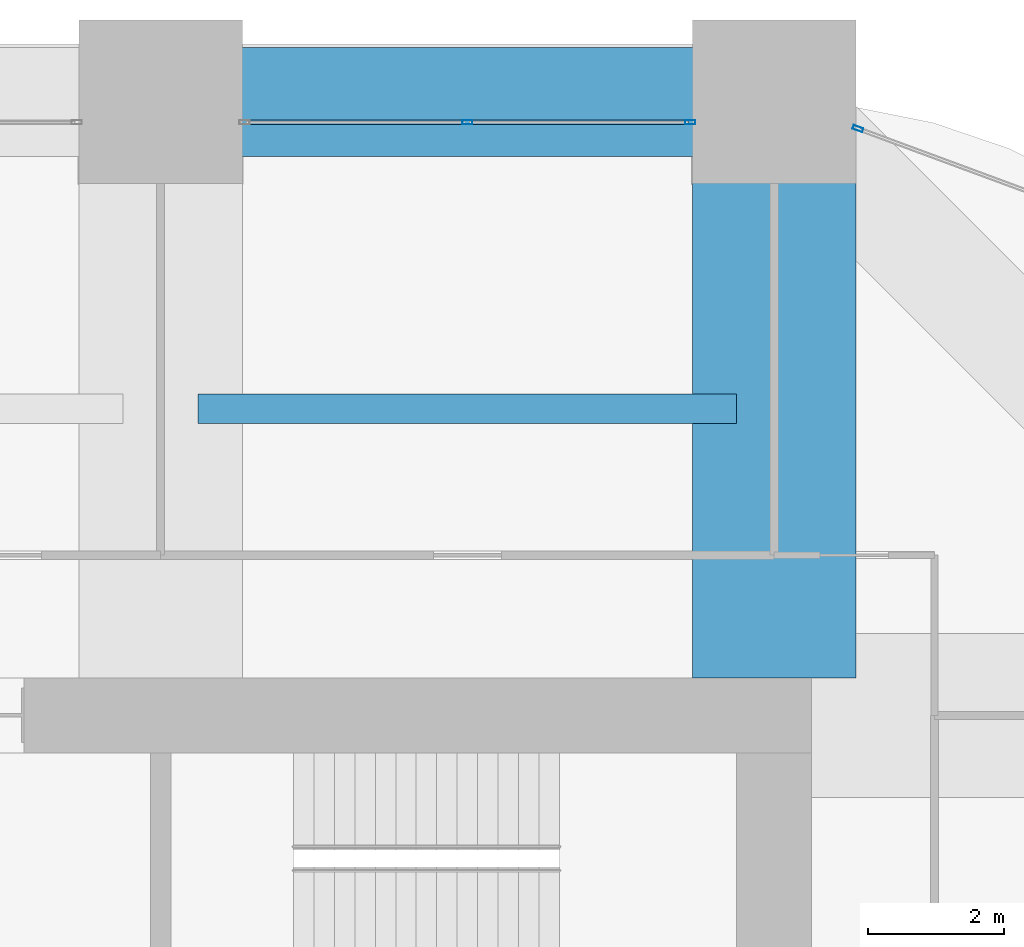
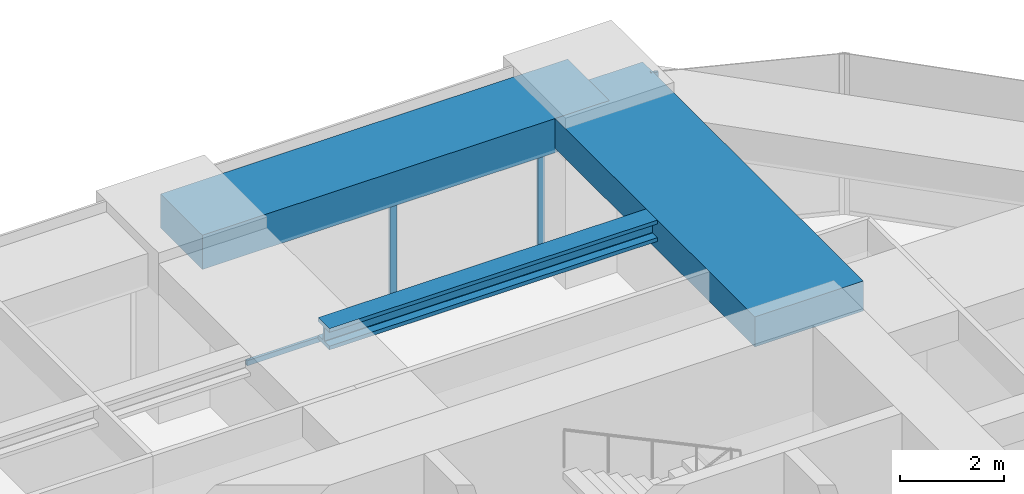
# One storey, part 26 of 34: 4 members, 3 beams, 2 elements without a shape of their own.
"""IFC4 building model written with IfcOpenShell, lengths in metres."""

from ifc_helpers import new_model, si_unit, direction, frame, origin, origin_2d, place, context, subcontext, project, spatial, rectangle, hollow_rectangle, i_section, extrude, material, material_profile, profile_set, type_object, element, aggregate, save


model = new_model("IFC4")

# Units and contexts
model_context = context("Model", 3, precision=1e-05, world=origin(), true_north=direction((0.0, 1.0)))
body_context = subcontext(model_context, "Body", "Model", "MODEL_VIEW")
ifc_project = project(units=[si_unit("LENGTHUNIT", "METRE"), si_unit("AREAUNIT", "SQUARE_METRE"), si_unit("VOLUMEUNIT", "CUBIC_METRE"), si_unit("PLANEANGLEUNIT", "RADIAN"), si_unit("MASSUNIT", "GRAM", prefix="KILO")], contexts=[model_context])

# Site, building, storey
site_placement = place(None, origin())
site = spatial("IfcSite", under=ifc_project, at=site_placement, CompositionType="ELEMENT")
building_placement = place(site_placement, origin())
building = spatial("IfcBuilding", under=site, at=building_placement, Name="Zorevar Civic Tower", CompositionType="ELEMENT")
storey_placement = place(building_placement, frame((0.0, 0.0, 226.199951171875)))
storey = spatial("IfcBuildingStorey", under=building, at=storey_placement, Name="L55", CompositionType="ELEMENT", Elevation=226.199951171875)

# Beam
ifc_material_1 = material(Name="Concrete C50/60", Category="concrete")
ifc_material_profile_1 = material_profile(ifc_material_1, rectangle(XDim=2.39990234375, YDim=0.699951171875, at=origin_2d()), Name="RC 2400x700")
ifc_profile_set_1 = profile_set([ifc_material_profile_1], Name="Concrete C50/60")
beam_type_1 = type_object("IfcBeamType", Name="Beam RC 2400x700", PredefinedType="BEAM", material=ifc_profile_set_1)
beam_1_placement = place(storey_placement, frame((45.0, 36.550048828125, 3.400146484375), z_axis=(0.0, 1.0, 0.0), x_axis=(-1.0, 0.0, 0.0)))
element("IfcBeam", 1, at=beam_1_placement, inside=storey, type_object=beam_type_1, Name="Girder L56", PredefinedType="BEAM", context=body_context, shape_type="SweptSolid", body=[
    extrude(rectangle(XDim=2.39990234375, YDim=0.699951171875, at=origin_2d()), origin(), (0.0, 0.0, 1.0), 8.449951171875),
])

# Curtain wall, members
ifc_material_2 = material(Name="Dark grey solar-control glass in black aluminium frame", Category="aluminium")
curtain_wall_type = type_object("IfcCurtainWallType", Name="Curtain wall CW4 high zone", PredefinedType="NOTDEFINED", material=ifc_material_2)
curtain_wall_1_placement = place(storey_placement, origin())
curtain_wall_1 = element("IfcCurtainWall", 2, at=curtain_wall_1_placement, inside=storey, type_object=curtain_wall_type, Name="CW4 L55", PredefinedType="NOTDEFINED")
ifc_material_3 = material(Name="Aluminium, black anodised", Category="aluminium")
ifc_material_profile_2 = material_profile(ifc_material_3, hollow_rectangle(XDim=0.06005859375, YDim=0.14990234375, WallThickness=0.00390625, at=origin_2d()), Name="AL 150x60x4")
ifc_profile_set_2 = profile_set([ifc_material_profile_2], Name="Aluminium, black anodised")
member_type_1 = type_object("IfcMemberType", Name="CW4 mullion AL 150x60x4", PredefinedType="MULLION", material=ifc_profile_set_2)
member_1_placement = place(storey_placement, frame((40.5, 44.699951171875, 0.06005859375), z_axis=(0.0, 0.0, 1.0), x_axis=(0.0, 1.0, 0.0)))
member_1 = element("IfcMember", 3, at=member_1_placement, type_object=member_type_1, Name="CW4 mullion 2", PredefinedType="MULLION", context=body_context, shape_type="SweptSolid", body=[
    extrude(hollow_rectangle(XDim=0.06005859375, YDim=0.14990234375, WallThickness=0.00390625, at=origin_2d()), origin(), (0.0, 0.0, 1.0), 2.889892578125),
])
member_2_placement = place(storey_placement, frame((43.77001953125, 44.699951171875, 0.0), z_axis=(0.0, 0.0, 1.0), x_axis=(0.0, 1.0, 0.0)))
member_2 = element("IfcMember", 4, at=member_2_placement, type_object=member_type_1, Name="CW4 mullion 3", PredefinedType="MULLION", context=body_context, shape_type="SweptSolid", body=[
    extrude(hollow_rectangle(XDim=0.06005859375, YDim=0.14990234375, WallThickness=0.00390625, at=origin_2d()), origin(), (0.0, 0.0, 1.0), 2.949951171875),
])

# Curtain wall, member
curtain_wall_2_placement = place(storey_placement, origin())
curtain_wall_2 = element("IfcCurtainWall", 5, at=curtain_wall_2_placement, inside=storey, type_object=curtain_wall_type, Name="CW4 L55", PredefinedType="NOTDEFINED")
member_3_placement = place(storey_placement, frame((46.22802734375, 44.6064453125, 0.0), z_axis=(0.0, 0.0, 1.0), x_axis=(-0.346704012033, -0.937974588163, 0.0)))
member_3 = element("IfcMember", 6, at=member_3_placement, type_object=member_type_1, Name="CW4 mullion 2", PredefinedType="MULLION", context=body_context, shape_type="SweptSolid", body=[
    extrude(hollow_rectangle(XDim=0.06005859375, YDim=0.14990234375, WallThickness=0.00390625, at=origin_2d()), origin(), (0.0, 0.0, 1.0), 3.75),
])
aggregate(curtain_wall_2, [member_3])

# Member
ifc_material_4 = material(Name="Aluminium, black anodised", Category="aluminium")
ifc_material_profile_3 = material_profile(ifc_material_4, hollow_rectangle(XDim=0.06005859375, YDim=0.1201171875, WallThickness=0.0029296875, at=origin_2d()), Name="AL 120x60x3")
ifc_profile_set_3 = profile_set([ifc_material_profile_3], Name="Aluminium, black anodised")
member_type_2 = type_object("IfcMemberType", Name="CW4 transom AL 120x60x3", PredefinedType="USERDEFINED", material=ifc_profile_set_3)
member_4_placement = place(storey_placement, frame((37.260009765625, 44.699951171875, 0.030029296875), z_axis=(1.0, 0.0, 0.0), x_axis=(0.0, 1.0, 0.0)))
member_4 = element("IfcMember", 7, at=member_4_placement, type_object=member_type_2, Name="CW4 sill transom", ObjectType="TRANSOM", PredefinedType="USERDEFINED", context=body_context, shape_type="SweptSolid", body=[
    extrude(hollow_rectangle(XDim=0.06005859375, YDim=0.1201171875, WallThickness=0.0029296875, at=origin_2d()), origin(), (0.0, 0.0, 1.0), 6.47998046875),
])

aggregate(curtain_wall_1, [member_1, member_2, member_4])

# Beams
ifc_material_5 = material(Name="Steel S460M (HISTAR 460)", Category="steel")
ifc_material_profile_4 = material_profile(ifc_material_5, i_section(OverallWidth=0.431884765625, OverallDepth=0.498046875, WebThickness=0.0556640625, FlangeThickness=0.0888671875, FilletRadius=0.014892578125, at=origin_2d()), Name="HD 400x744")
ifc_profile_set_4 = profile_set([ifc_material_profile_4], Name="Steel S460M (HISTAR 460)")
beam_type_2 = type_object("IfcBeamType", Name="Core bay beam HD 400x744", PredefinedType="BEAM", material=ifc_profile_set_4)
beam_2_placement = place(storey_placement, frame((36.550048828125, 40.5, 3.5009765625), z_axis=(1.0, 0.0, 0.0), x_axis=(0.0, 1.0, 0.0)))
element("IfcBeam", 8, at=beam_2_placement, inside=storey, type_object=beam_type_2, Name="Secondary beam L56", PredefinedType="BEAM", context=body_context, shape_type="SweptSolid", body=[
    extrude(i_section(OverallWidth=0.431884765625, OverallDepth=0.498046875, WebThickness=0.0556640625, FlangeThickness=0.0888671875, FilletRadius=0.014892578125, at=origin_2d()), origin(), (0.0, 0.0, 1.0), 7.89990234375),
])
ifc_material_6 = material(Name="Concrete C50/60", Category="concrete")
ifc_material_profile_5 = material_profile(ifc_material_6, rectangle(XDim=1.60009765625, YDim=0.800048828125, at=origin_2d()), Name="RC 1600x800")
ifc_profile_set_5 = profile_set([ifc_material_profile_5], Name="Concrete C50/60")
beam_type_3 = type_object("IfcBeamType", Name="Edge beam RC 1600x800", PredefinedType="SPANDREL", material=ifc_profile_set_5)
beam_3_placement = place(storey_placement, frame((36.0, 45.0, 3.35009765625), z_axis=(1.0, 0.0, 0.0), x_axis=(0.0, 1.0, 0.0)))
element("IfcBeam", 9, at=beam_3_placement, inside=storey, type_object=beam_type_3, Name="Edge beam L56", PredefinedType="SPANDREL", context=body_context, shape_type="SweptSolid", body=[
    extrude(rectangle(XDim=1.60009765625, YDim=0.800048828125, at=origin_2d()), origin(), (0.0, 0.0, 1.0), 9.0),
])

save(model, "model.ifc")
